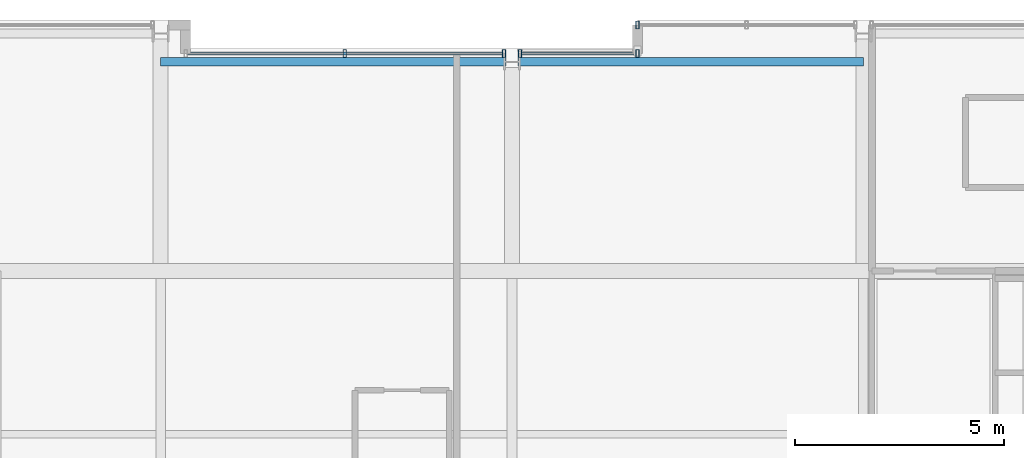
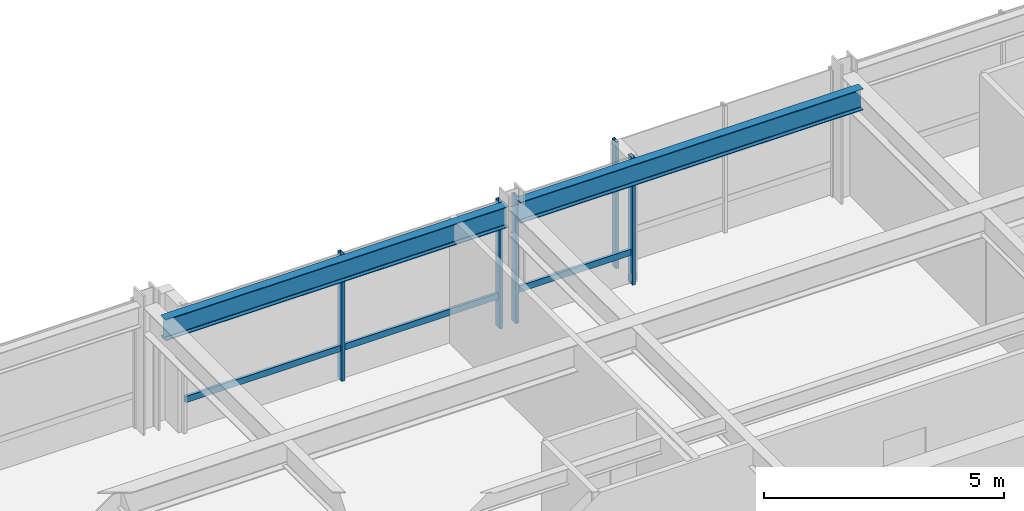
# One storey, part 21 of 33: 7 members, 2 beams, 3 elements without a shape of their own.
"""IFC4 building model written with IfcOpenShell, lengths in metres."""

from ifc_helpers import new_model, si_unit, direction, frame, origin, origin_2d, place, context, subcontext, project, spatial, hollow_rectangle, i_section, extrude, material, layer, layer_set, material_profile, profile_set, type_object, element, aggregate, save


model = new_model("IFC4")

# Units and contexts
model_context = context("Model", 3, precision=1e-05, world=origin(), true_north=direction((0.0, 1.0)))
body_context = subcontext(model_context, "Body", "Model", "MODEL_VIEW")
ifc_project = project(units=[si_unit("LENGTHUNIT", "METRE"), si_unit("AREAUNIT", "SQUARE_METRE"), si_unit("VOLUMEUNIT", "CUBIC_METRE"), si_unit("PLANEANGLEUNIT", "RADIAN"), si_unit("MASSUNIT", "GRAM", prefix="KILO")], contexts=[model_context])

# Site, building, storey
site_placement = place(None, origin())
site = spatial("IfcSite", under=ifc_project, at=site_placement, CompositionType="ELEMENT")
building_placement = place(site_placement, origin())
building = spatial("IfcBuilding", under=site, at=building_placement, Name="Drelvath Grand Hotel", CompositionType="ELEMENT")
storey_placement = place(building_placement, frame((0.0, 0.0, 196.550048828125)))
storey = spatial("IfcBuildingStorey", under=building, at=storey_placement, Name="L51", CompositionType="ELEMENT", Elevation=196.550048828125)

# Curtain wall, member
ifc_material_1 = material(Name="Brushed Pale-Silver Anodised Aluminium Frame", Category="aluminium")
ifc_layer = layer(ifc_material_1, 0.199951171875)
ifc_layer_set = layer_set([ifc_layer], Name="Brushed Pale-Silver Anodised Aluminium Frame")
curtain_wall_type = type_object("IfcCurtainWallType", Name="Stick Curtain Wall CW-04 Brushed Silver Upper-Mid", PredefinedType="NOTDEFINED", material=ifc_layer_set)
curtain_wall_1_placement = place(storey_placement, origin())
curtain_wall_1 = element("IfcCurtainWall", 1, at=curtain_wall_1_placement, inside=storey, type_object=curtain_wall_type, Name="L51 CW-04 Curtain Wall CW04-L51-NM1", PredefinedType="NOTDEFINED")
ifc_material_profile_1 = material_profile(ifc_material_1, hollow_rectangle(XDim=0.06494140625, YDim=0.159912109375, WallThickness=0.00390625, at=origin_2d()), Name="HSS160X65X4")
ifc_profile_set_1 = profile_set([ifc_material_profile_1], Name="Brushed Pale-Silver Anodised Aluminium Frame")
member_type_1 = type_object("IfcMemberType", Name="Curtain Wall Horizontal Transom CW-04 HSS160X65X4", PredefinedType="USERDEFINED", material=ifc_profile_set_1)
member_1_placement = place(storey_placement, frame((-7.760009765625, 48.39990234375, 0.807373046875), z_axis=(1.0, 0.0, 0.0), x_axis=(0.0, 1.0, 0.0)))
member_1 = element("IfcMember", 2, at=member_1_placement, type_object=member_type_1, Name="CW04-L51-NM1 Sill Transom", ObjectType="TRANSOM", PredefinedType="USERDEFINED", context=body_context, shape_type="SweptSolid", body=[
    extrude(hollow_rectangle(XDim=0.06494140625, YDim=0.159912109375, WallThickness=0.00390625, at=origin_2d()), origin(), (0.0, 0.0, 1.0), 7.5283203125),
])

curtain_wall_2_placement = place(storey_placement, origin())
curtain_wall_2 = element("IfcCurtainWall", 3, at=curtain_wall_2_placement, inside=storey, type_object=curtain_wall_type, Name="L51 CW-04 Curtain Wall CW04-L51-NM2", PredefinedType="NOTDEFINED")
member_2_placement = place(storey_placement, frame((0.231689453125, 48.39990234375, 0.807373046875), z_axis=(1.0, 0.0, 0.0), x_axis=(0.0, 1.0, 0.0)))
member_2 = element("IfcMember", 4, at=member_2_placement, type_object=member_type_1, Name="CW04-L51-NM2 Sill Transom", ObjectType="TRANSOM", PredefinedType="USERDEFINED", context=body_context, shape_type="SweptSolid", body=[
    extrude(hollow_rectangle(XDim=0.06494140625, YDim=0.159912109375, WallThickness=0.00390625, at=origin_2d()), origin(), (0.0, 0.0, 1.0), 2.728271484375),
])

# Member
ifc_material_profile_2 = material_profile(ifc_material_1, hollow_rectangle(XDim=0.074951171875, YDim=0.179931640625, WallThickness=0.0048828125, at=origin_2d()), Name="HSS180X75X5")
ifc_profile_set_2 = profile_set([ifc_material_profile_2], Name="Brushed Pale-Silver Anodised Aluminium Frame")
member_type_2 = type_object("IfcMemberType", Name="Curtain Wall Vertical Mullion CW-04 HSS180X75X5", PredefinedType="MULLION", material=ifc_profile_set_2)
member_3_placement = place(storey_placement, frame((-3.995849609375, 48.39990234375, 0.0), z_axis=(0.0, 0.0, 1.0), x_axis=(1.0, 0.0, 0.0)))
member_3 = element("IfcMember", 5, at=member_3_placement, type_object=member_type_2, Name="CW04-L51-NM1 Mullion 2", PredefinedType="MULLION", context=body_context, shape_type="SweptSolid", body=[
    extrude(hollow_rectangle(XDim=0.074951171875, YDim=0.179931640625, WallThickness=0.0048828125, at=origin_2d()), origin(), (0.0, 0.0, 1.0), 3.22998046875),
])

member_4_placement = place(storey_placement, frame((-0.191650390625, 48.39990234375, 0.0), z_axis=(0.0, 0.0, 1.0), x_axis=(1.0, 0.0, 0.0)))
member_4 = element("IfcMember", 6, at=member_4_placement, type_object=member_type_2, Name="CW04-L51-NM1 Mullion 3", PredefinedType="MULLION", context=body_context, shape_type="SweptSolid", body=[
    extrude(hollow_rectangle(XDim=0.074951171875, YDim=0.179931640625, WallThickness=0.0048828125, at=origin_2d()), origin(), (0.0, 0.0, 1.0), 3.22998046875),
])

aggregate(curtain_wall_1, [member_3, member_4, member_1])

member_5_placement = place(storey_placement, frame((0.191650390625, 48.39990234375, 0.0), z_axis=(0.0, 0.0, 1.0), x_axis=(1.0, 0.0, 0.0)))
member_5 = element("IfcMember", 7, at=member_5_placement, type_object=member_type_2, Name="CW04-L51-NM2 Mullion 1", PredefinedType="MULLION", context=body_context, shape_type="SweptSolid", body=[
    extrude(hollow_rectangle(XDim=0.074951171875, YDim=0.179931640625, WallThickness=0.0048828125, at=origin_2d()), origin(), (0.0, 0.0, 1.0), 3.22998046875),
])

member_6_placement = place(storey_placement, frame((3.0, 48.39990234375, 0.0), z_axis=(0.0, 0.0, 1.0), x_axis=(1.0, 0.0, 0.0)))
member_6 = element("IfcMember", 8, at=member_6_placement, type_object=member_type_2, Name="CW04-L51-NM2 Mullion 2", PredefinedType="MULLION", context=body_context, shape_type="SweptSolid", body=[
    extrude(hollow_rectangle(XDim=0.074951171875, YDim=0.179931640625, WallThickness=0.0048828125, at=origin_2d()), origin(), (0.0, 0.0, 1.0), 3.22998046875),
])

aggregate(curtain_wall_2, [member_5, member_6, member_2])

# Curtain wall, member
curtain_wall_3_placement = place(storey_placement, origin())
curtain_wall_3 = element("IfcCurtainWall", 9, at=curtain_wall_3_placement, inside=storey, type_object=curtain_wall_type, Name="L51 CW-04 Curtain Wall CW04-L51-NE1", PredefinedType="NOTDEFINED")
member_7_placement = place(storey_placement, frame((3.0, 49.080078125, 0.0), z_axis=(0.0, 0.0, 1.0), x_axis=(1.0, 0.0, 0.0)))
member_7 = element("IfcMember", 10, at=member_7_placement, type_object=member_type_2, Name="CW04-L51-NE1 Mullion 1", PredefinedType="MULLION", context=body_context, shape_type="SweptSolid", body=[
    extrude(hollow_rectangle(XDim=0.074951171875, YDim=0.179931640625, WallThickness=0.0048828125, at=origin_2d()), origin(), (0.0, 0.0, 1.0), 3.22998046875),
])
aggregate(curtain_wall_3, [member_7])

# Beams
ifc_material_2 = material(Name="Steel ASTM A992 Gr 50", Category="steel")
ifc_material_profile_3 = material_profile(ifc_material_2, i_section(OverallWidth=0.210205078125, OverallDepth=0.53662109375, WebThickness=0.010986328125, FlangeThickness=0.017333984375, FilletRadius=0.01806640625, at=origin_2d()), Name="W21X68")
ifc_profile_set_3 = profile_set([ifc_material_profile_3], Name="Steel ASTM A992 Gr 50")
beam_type = type_object("IfcBeamType", Name="Perimeter Spandrel Beam W21X68", PredefinedType="SPANDREL", material=ifc_profile_set_3)
for number, where, z_axis, x_axis, name in (
    (11, (-8.39990234375, 48.199951171875, 2.961669921875), (1.0, 0.0, 0.0), (0.0, 1.0, 0.0), "L51 Spandrel North Mid W"),
    (12, (0.139892578125, 48.199951171875, 2.961669921875), (1.0, 0.0, 0.0), (0.0, 1.0, 0.0), "L51 Spandrel North Mid E"),
):
    element("IfcBeam", number, at=place(storey_placement, frame(where, z_axis=z_axis, x_axis=x_axis)), inside=storey, type_object=beam_type, Name=name, PredefinedType="SPANDREL", context=body_context, shape_type="SweptSolid", body=[
        extrude(i_section(OverallWidth=0.210205078125, OverallDepth=0.53662109375, WebThickness=0.010986328125, FlangeThickness=0.017333984375, FilletRadius=0.01806640625, at=origin_2d()), origin(), (0.0, 0.0, 1.0), 8.260009765625),
    ])

save(model, "model.ifc")
